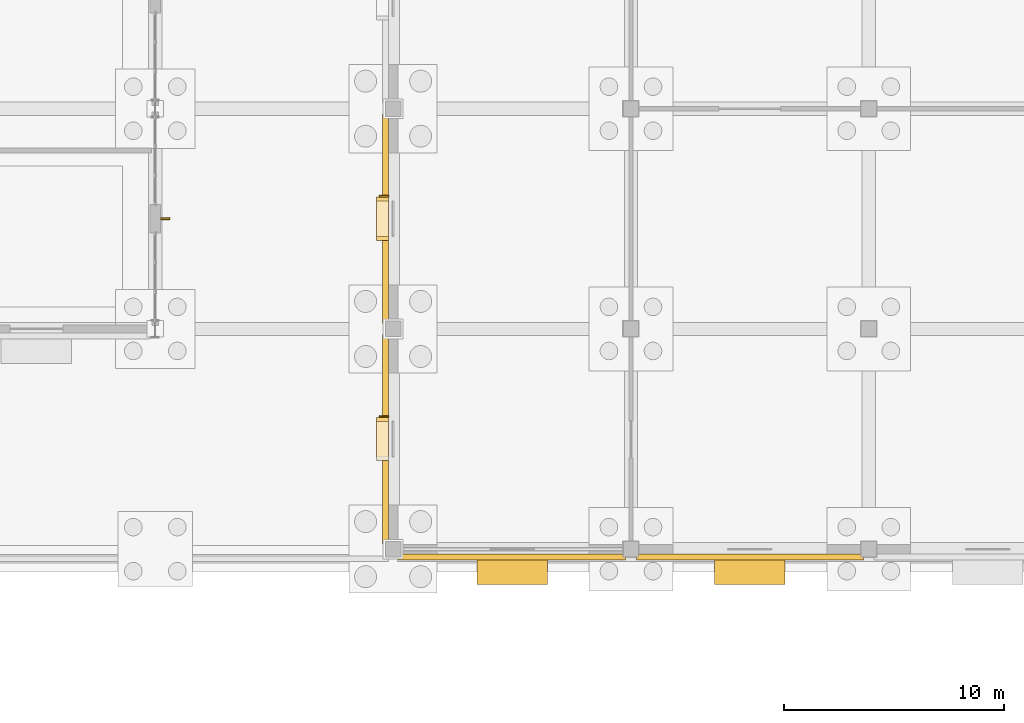
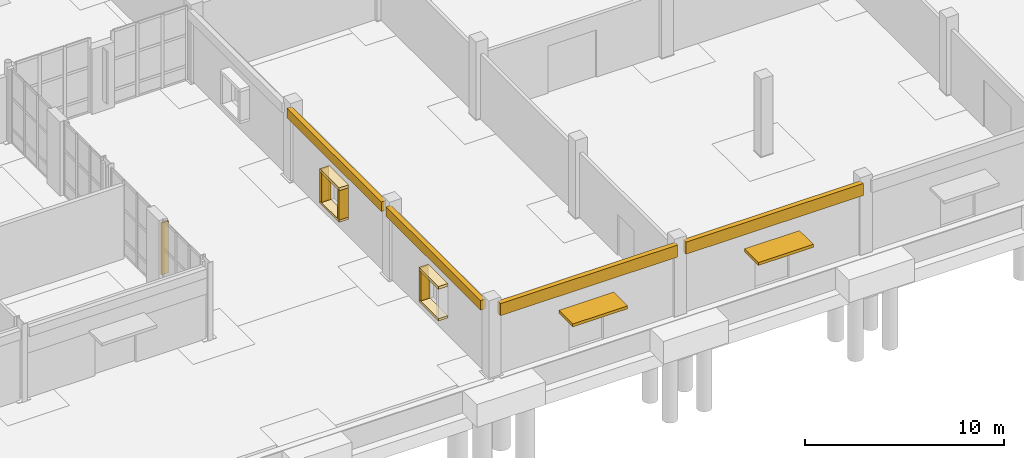
# One storey, part 65 of 73: 11 coverings, 5 shading devices.
"""IFC4 building model written with IfcOpenShell, lengths in metres."""

from ifc_helpers import new_model, si_unit, direction, frame, origin, origin_2d, place, context, subcontext, project, spatial, rectangle, extrude, material, layer, layer_set, type_object, element, save


model = new_model("IFC4")

# Units and contexts
model_context = context("Model", 3, precision=1e-05, world=origin(), true_north=direction((0.0, 1.0)))
body_context = subcontext(model_context, "Body", "Model", "MODEL_VIEW")
ifc_project = project(units=[si_unit("LENGTHUNIT", "METRE"), si_unit("AREAUNIT", "SQUARE_METRE"), si_unit("VOLUMEUNIT", "CUBIC_METRE"), si_unit("PLANEANGLEUNIT", "RADIAN"), si_unit("MASSUNIT", "GRAM", prefix="KILO")], contexts=[model_context])

# Site, building, storey
site_placement = place(None, origin())
site = spatial("IfcSite", under=ifc_project, at=site_placement, CompositionType="ELEMENT")
building_placement = place(site_placement, origin())
building = spatial("IfcBuilding", under=site, at=building_placement, Name="Tasgan Crest Museum", CompositionType="ELEMENT")
storey_placement = place(building_placement, origin())
storey = spatial("IfcBuildingStorey", under=building, at=storey_placement, Name="L00", CompositionType="ELEMENT", Elevation=0.0)

# Coverings
ifc_material_1 = material(Name="Honed Rose-Red Mongolian Granite", Category="masonry")
ifc_layer_1 = layer(ifc_material_1, 0.0400390625, Name="COV-GRANITE-ROSE")
ifc_layer_set_1 = layer_set([ifc_layer_1], Name="Honed Rose-Red Mongolian Granite")
covering_type_1 = type_object("IfcCoveringType", Name="COV-GRANITE-ROSE", PredefinedType="CLADDING", material=ifc_layer_set_1)
for number, where, z_axis, x_axis, name in (
    (1, (107.514892578125, 25.889892578125, 1.2001953125), (0.0, 0.0, 1.0), (0.0, -1.0, 0.0), "Deep window reveal jamb L00-008"),
    (2, (107.514892578125, 24.110107421875, 1.2001953125), (0.0, 0.0, 1.0), (0.0, -1.0, 0.0), "Deep window reveal jamb L00-008"),
    (3, (107.514892578125, 15.889892578125, 1.2001953125), (0.0, 0.0, 1.0), (0.0, -1.0, 0.0), "Deep window reveal jamb L00-009"),
):
    element("IfcCovering", number, at=place(storey_placement, frame(where, z_axis=z_axis, x_axis=x_axis)), inside=storey, type_object=covering_type_1, Name=name, PredefinedType="CLADDING", context=body_context, shape_type="SweptSolid", body=[
        extrude(rectangle(XDim=0.179931640625, YDim=0.550048828125, at=origin_2d()), origin(), (0.0, 0.0, 1.0), 1.800048828125),
    ])
ifc_material_2 = material(Name="Honed Buff Limestone", Category="masonry")
ifc_layer_2 = layer(ifc_material_2, 0.044921875, Name="COV-LIMESTONE-BUFF")
ifc_layer_set_2 = layer_set([ifc_layer_2], Name="Honed Buff Limestone")
covering_type_2 = type_object("IfcCoveringType", Name="COV-LIMESTONE-BUFF", PredefinedType="CLADDING", material=ifc_layer_set_2)
covering_1_placement = place(storey_placement, frame((107.64990234375, 25.0, 3.919921875), z_axis=(0.0, 0.0, 1.0), x_axis=(0.0, -1.0, 0.0)))
element("IfcCovering", 4, at=covering_1_placement, inside=storey, type_object=covering_type_2, Name="Stone frieze cladding L00", PredefinedType="CLADDING", context=body_context, shape_type="SweptSolid", body=[
    extrude(rectangle(XDim=9.510009765625, YDim=0.280029296875, at=origin_2d()), origin(), (0.0, 0.0, 1.0), 0.590087890625),
])
covering_2_placement = place(storey_placement, frame((107.514892578125, 25.0, 3.0), z_axis=(0.0, 0.0, 1.0), x_axis=(0.0, -1.0, 0.0)))
element("IfcCovering", 5, at=covering_2_placement, inside=storey, type_object=covering_type_2, Name="Deep window hood L00-008", PredefinedType="CLADDING", context=body_context, shape_type="SweptSolid", body=[
    extrude(rectangle(XDim=1.9599609375, YDim=0.550048828125, at=origin_2d()), origin(), (0.0, 0.0, 1.0), 0.179931640625),
])
covering_3_placement = place(storey_placement, frame((107.514892578125, 25.0, 1.06005859375), z_axis=(0.0, 0.0, 1.0), x_axis=(0.0, -1.0, 0.0)))
element("IfcCovering", 6, at=covering_3_placement, inside=storey, type_object=covering_type_2, Name="Deep window sill L00-008", PredefinedType="CLADDING", context=body_context, shape_type="SweptSolid", body=[
    extrude(rectangle(XDim=1.9599609375, YDim=0.550048828125, at=origin_2d()), origin(), (0.0, 0.0, 1.0), 0.139892578125),
])
covering_4_placement = place(storey_placement, frame((107.64990234375, 15.0, 3.919921875), z_axis=(0.0, 0.0, 1.0), x_axis=(0.0, -1.0, 0.0)))
element("IfcCovering", 7, at=covering_4_placement, inside=storey, type_object=covering_type_2, Name="Stone frieze cladding L00", PredefinedType="CLADDING", context=body_context, shape_type="SweptSolid", body=[
    extrude(rectangle(XDim=9.510009765625, YDim=0.280029296875, at=origin_2d()), origin(), (0.0, 0.0, 1.0), 0.590087890625),
])
covering_5_placement = place(storey_placement, frame((107.514892578125, 15.0, 3.0), z_axis=(0.0, 0.0, 1.0), x_axis=(0.0, -1.0, 0.0)))
element("IfcCovering", 8, at=covering_5_placement, inside=storey, type_object=covering_type_2, Name="Deep window hood L00-009", PredefinedType="CLADDING", context=body_context, shape_type="SweptSolid", body=[
    extrude(rectangle(XDim=1.9599609375, YDim=0.550048828125, at=origin_2d()), origin(), (0.0, 0.0, 1.0), 0.179931640625),
])
covering_6_placement = place(storey_placement, frame((107.514892578125, 15.0, 1.06005859375), z_axis=(0.0, 0.0, 1.0), x_axis=(0.0, -1.0, 0.0)))
element("IfcCovering", 9, at=covering_6_placement, inside=storey, type_object=covering_type_2, Name="Deep window sill L00-009", PredefinedType="CLADDING", context=body_context, shape_type="SweptSolid", body=[
    extrude(rectangle(XDim=1.9599609375, YDim=0.550048828125, at=origin_2d()), origin(), (0.0, 0.0, 1.0), 0.139892578125),
])
for number, where, z_axis, x_axis, name in (
    (10, (113.39990234375, 9.64990234375, 3.76904296875), (0.0, 0.0, 1.0), (1.0, 0.0, 0.0), "Stone frieze cladding L00"),
    (11, (124.199951171875, 9.64990234375, 3.76904296875), (0.0, 0.0, 1.0), (1.0, 0.0, 0.0), "Stone frieze cladding L00"),
):
    element("IfcCovering", number, at=place(storey_placement, frame(where, z_axis=z_axis, x_axis=x_axis)), inside=storey, type_object=covering_type_2, Name=name, PredefinedType="CLADDING", context=body_context, shape_type="SweptSolid", body=[
        extrude(rectangle(XDim=10.31005859375, YDim=0.280029296875, at=origin_2d()), origin(), (0.0, 0.0, 1.0), 0.740966796875),
    ])

# Shading devices
ifc_material_3 = material(Name="Galvanised Steel Snow Canopy", Category="steel")
shading_device_type_1 = type_object("IfcShadingDeviceType", Name="SH-AWNING-SNOW", PredefinedType="AWNING", material=ifc_material_3)
for number, where, z_axis, x_axis, name in (
    (12, (113.39990234375, 9.090087890625, 2.51025390625), (0.0, 0.0, 1.0), (1.0, 0.0, 0.0), "Entrance snow canopy ED005"),
    (13, (124.199951171875, 9.090087890625, 2.51025390625), (0.0, 0.0, 1.0), (1.0, 0.0, 0.0), "Entrance snow canopy ED006"),
):
    element("IfcShadingDevice", number, at=place(storey_placement, frame(where, z_axis=z_axis, x_axis=x_axis)), inside=storey, type_object=shading_device_type_1, Name=name, PredefinedType="AWNING", context=body_context, shape_type="SweptSolid", body=[
        extrude(rectangle(XDim=3.199951171875, YDim=1.39990234375, at=origin_2d()), origin(), (0.0, 0.0, 1.0), 0.179931640625),
    ])
ifc_material_4 = material(Name="Anodised Bronze Aluminium", Category="aluminium")
shading_device_type_2 = type_object("IfcShadingDeviceType", Name="SH-FIN-V400", PredefinedType="JALOUSIE", material=ifc_material_4)
shading_device_placement = place(storey_placement, frame((97.64990234375, 25.0, 0.68017578125), z_axis=(0.0, 0.0, 1.0), x_axis=(0.0, 1.0, 0.0)))
element("IfcShadingDevice", 14, at=shading_device_placement, inside=storey, type_object=shading_device_type_2, Name="Facade pier solar fin L00", PredefinedType="JALOUSIE", context=body_context, shape_type="SweptSolid", body=[
    extrude(rectangle(XDim=0.080078125, YDim=0.419921875, at=origin_2d()), origin(), (0.0, 0.0, 1.0), 3.199951171875),
])
for number, where, z_axis, x_axis, name in (
    (15, (107.580078125, 26.02001953125, 1.10009765625), (0.0, 0.0, 1.0), (0.0, -1.0, 0.0), "Solar shading fin L00-008"),
    (16, (107.580078125, 16.02001953125, 1.10009765625), (0.0, 0.0, 1.0), (0.0, -1.0, 0.0), "Solar shading fin L00-009"),
):
    element("IfcShadingDevice", number, at=place(storey_placement, frame(where, z_axis=z_axis, x_axis=x_axis)), inside=storey, type_object=shading_device_type_2, Name=name, PredefinedType="JALOUSIE", context=body_context, shape_type="SweptSolid", body=[
        extrude(rectangle(XDim=0.080078125, YDim=0.419921875, at=origin_2d()), origin(), (0.0, 0.0, 1.0), 2.0),
    ])

save(model, "model.ifc")
